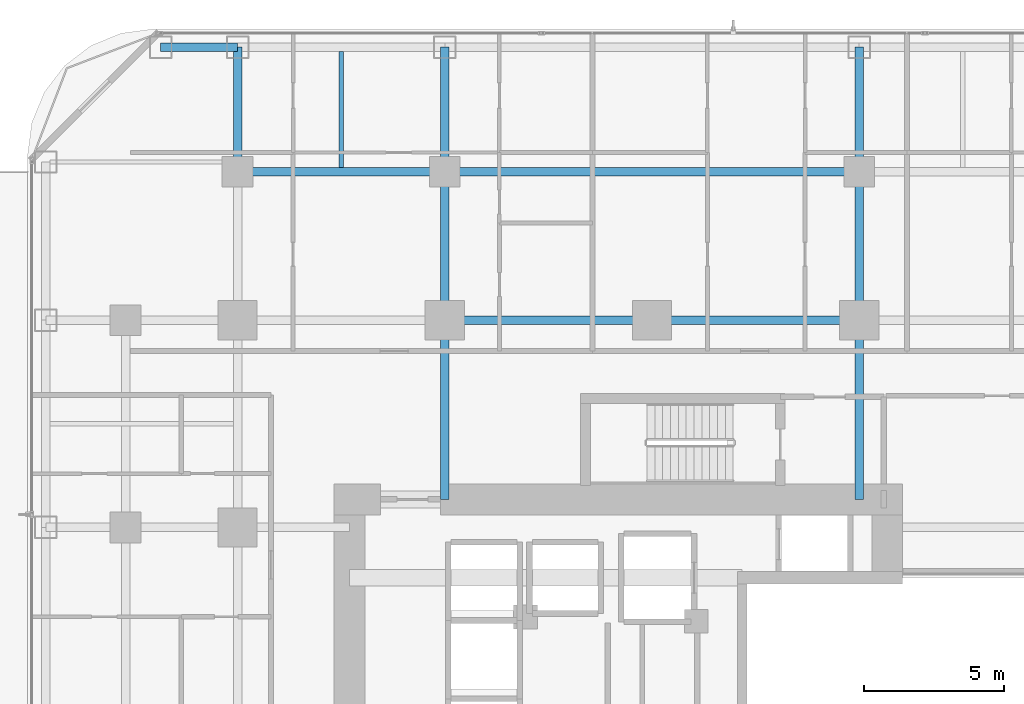
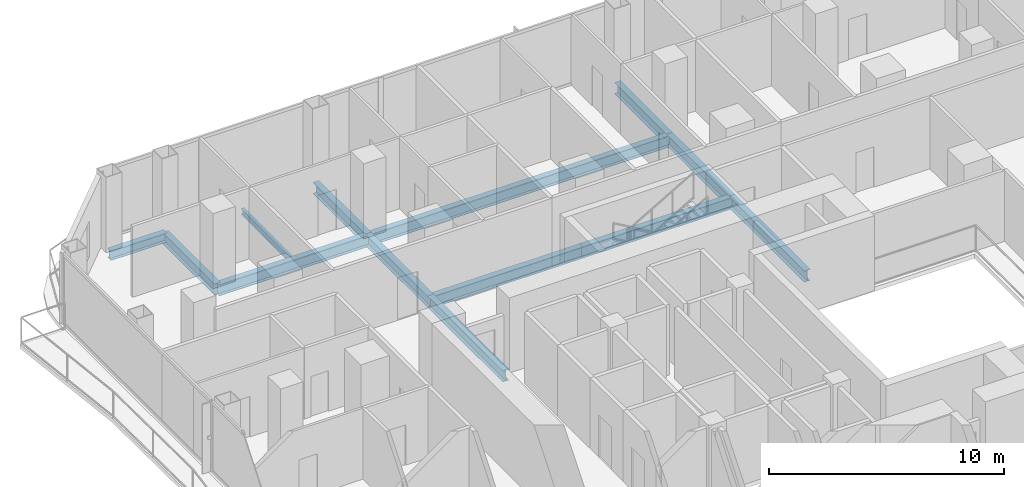
# One storey, part 14 of 30: 13 beams.
"""IFC4 building model written with IfcOpenShell, lengths in metres."""

from ifc_helpers import new_model, si_unit, direction, frame, origin, origin_2d, place, context, subcontext, project, spatial, i_section, extrude, material, material_profile, profile_set, type_object, element, save


model = new_model("IFC4")

# Units and contexts
model_context = context("Model", 3, precision=1e-05, world=origin(), true_north=direction((0.0, 1.0)))
body_context = subcontext(model_context, "Body", "Model", "MODEL_VIEW")
ifc_project = project(units=[si_unit("LENGTHUNIT", "METRE"), si_unit("AREAUNIT", "SQUARE_METRE"), si_unit("VOLUMEUNIT", "CUBIC_METRE"), si_unit("PLANEANGLEUNIT", "RADIAN"), si_unit("MASSUNIT", "GRAM", prefix="KILO")], contexts=[model_context])

# Site, building, storey
site_placement = place(None, origin())
site = spatial("IfcSite", under=ifc_project, at=site_placement, CompositionType="ELEMENT")
building_placement = place(site_placement, origin())
building = spatial("IfcBuilding", under=site, at=building_placement, Name="Khorvyn Point Tower", CompositionType="ELEMENT")
storey_placement = place(building_placement, frame((0.0, 0.0, 30.60009765625)))
storey = spatial("IfcBuildingStorey", under=building, at=storey_placement, Name="L08", CompositionType="ELEMENT", Elevation=30.60009765625)

# Beams
ifc_material = material(Name="Steel S355", Category="steel")
ifc_material_profile_1 = material_profile(ifc_material, i_section(OverallWidth=0.300048828125, OverallDepth=0.587890625, WebThickness=0.011962890625, FlangeThickness=0.02001953125, at=origin_2d()))
ifc_profile_set_1 = profile_set([ifc_material_profile_1], Name="Steel S355 H588x300x12x20")
beam_type_1 = type_object("IfcBeamType", Name="Steel S355 Beam H588x300x12x20", PredefinedType="BEAM", material=ifc_profile_set_1)
for number, where, z_axis, x_axis, name in (
    (1, (-7.39990234375, 14.800048828125, -0.51416015625), (1.0, 0.0, 0.0), (0.0, 1.0, 0.0), "Beam"),
    (2, (0.0, 14.800048828125, -0.51416015625), (1.0, 0.0, 0.0), (0.0, 1.0, 0.0), "Beam"),
):
    element("IfcBeam", number, at=place(storey_placement, frame(where, z_axis=z_axis, x_axis=x_axis)), inside=storey, type_object=beam_type_1, Name=name, PredefinedType="BEAM", context=body_context, shape_type="SweptSolid", body=[
        extrude(i_section(OverallWidth=0.300048828125, OverallDepth=0.587890625, WebThickness=0.011962890625, FlangeThickness=0.02001953125, at=origin_2d()), origin(), (0.0, 0.0, 1.0), 7.39990234375),
    ])
beam_1_placement = place(storey_placement, frame((-14.800048828125, 20.10009765625, -0.51416015625), z_axis=(1.0, 0.0, 0.0), x_axis=(0.0, 1.0, 0.0)))
element("IfcBeam", 3, at=beam_1_placement, inside=storey, type_object=beam_type_1, Name="Beam", PredefinedType="BEAM", context=body_context, shape_type="SweptSolid", body=[
    extrude(i_section(OverallWidth=0.300048828125, OverallDepth=0.587890625, WebThickness=0.011962890625, FlangeThickness=0.02001953125, at=origin_2d()), origin(), (0.0, 0.0, 1.0), 7.400146484375),
])
beam_2_placement = place(storey_placement, frame((-7.39990234375, 20.10009765625, -0.51416015625), z_axis=(1.0, 0.0, 0.0), x_axis=(0.0, 1.0, 0.0)))
element("IfcBeam", 4, at=beam_2_placement, inside=storey, type_object=beam_type_1, Name="Beam", PredefinedType="BEAM", context=body_context, shape_type="SweptSolid", body=[
    extrude(i_section(OverallWidth=0.300048828125, OverallDepth=0.587890625, WebThickness=0.011962890625, FlangeThickness=0.02001953125, at=origin_2d()), origin(), (0.0, 0.0, 1.0), 14.7998046875),
])
beam_3_placement = place(storey_placement, frame((-14.800048828125, 20.10009765625, -0.51416015625), z_axis=(0.0, 1.0, 0.0), x_axis=(-1.0, 0.0, 0.0)))
element("IfcBeam", 5, at=beam_3_placement, inside=storey, type_object=beam_type_1, Name="Beam", PredefinedType="BEAM", context=body_context, shape_type="SweptSolid", body=[
    extrude(i_section(OverallWidth=0.300048828125, OverallDepth=0.587890625, WebThickness=0.011962890625, FlangeThickness=0.02001953125, at=origin_2d()), origin(), (0.0, 0.0, 1.0), 4.449951171875),
])
beam_4_placement = place(storey_placement, frame((-7.39990234375, 8.39990234375, -0.51416015625), z_axis=(0.0, 1.0, 0.0), x_axis=(-1.0, 0.0, 0.0)))
element("IfcBeam", 6, at=beam_4_placement, inside=storey, type_object=beam_type_1, Name="Beam", PredefinedType="BEAM", context=body_context, shape_type="SweptSolid", body=[
    extrude(i_section(OverallWidth=0.300048828125, OverallDepth=0.587890625, WebThickness=0.011962890625, FlangeThickness=0.02001953125, at=origin_2d()), origin(), (0.0, 0.0, 1.0), 6.400146484375),
])
beam_5_placement = place(storey_placement, frame((-7.39990234375, 14.800048828125, -0.51416015625), z_axis=(0.0, 1.0, 0.0), x_axis=(-1.0, 0.0, 0.0)))
element("IfcBeam", 7, at=beam_5_placement, inside=storey, type_object=beam_type_1, Name="Beam", PredefinedType="BEAM", context=body_context, shape_type="SweptSolid", body=[
    extrude(i_section(OverallWidth=0.300048828125, OverallDepth=0.587890625, WebThickness=0.011962890625, FlangeThickness=0.02001953125, at=origin_2d()), origin(), (0.0, 0.0, 1.0), 5.300048828125),
])
beam_6_placement = place(storey_placement, frame((-7.39990234375, 20.10009765625, -0.51416015625), z_axis=(0.0, 1.0, 0.0), x_axis=(-1.0, 0.0, 0.0)))
element("IfcBeam", 8, at=beam_6_placement, inside=storey, type_object=beam_type_1, Name="Beam", PredefinedType="BEAM", context=body_context, shape_type="SweptSolid", body=[
    extrude(i_section(OverallWidth=0.300048828125, OverallDepth=0.587890625, WebThickness=0.011962890625, FlangeThickness=0.02001953125, at=origin_2d()), origin(), (0.0, 0.0, 1.0), 4.449951171875),
])
beam_7_placement = place(storey_placement, frame((7.39990234375, 8.39990234375, -0.51416015625), z_axis=(0.0, 1.0, 0.0), x_axis=(-1.0, 0.0, 0.0)))
element("IfcBeam", 9, at=beam_7_placement, inside=storey, type_object=beam_type_1, Name="Beam", PredefinedType="BEAM", context=body_context, shape_type="SweptSolid", body=[
    extrude(i_section(OverallWidth=0.300048828125, OverallDepth=0.587890625, WebThickness=0.011962890625, FlangeThickness=0.02001953125, at=origin_2d()), origin(), (0.0, 0.0, 1.0), 6.400146484375),
])
beam_8_placement = place(storey_placement, frame((7.39990234375, 14.800048828125, -0.51416015625), z_axis=(0.0, 1.0, 0.0), x_axis=(-1.0, 0.0, 0.0)))
element("IfcBeam", 10, at=beam_8_placement, inside=storey, type_object=beam_type_1, Name="Beam", PredefinedType="BEAM", context=body_context, shape_type="SweptSolid", body=[
    extrude(i_section(OverallWidth=0.300048828125, OverallDepth=0.587890625, WebThickness=0.011962890625, FlangeThickness=0.02001953125, at=origin_2d()), origin(), (0.0, 0.0, 1.0), 5.300048828125),
])
beam_9_placement = place(storey_placement, frame((7.39990234375, 20.10009765625, -0.51416015625), z_axis=(0.0, 1.0, 0.0), x_axis=(-1.0, 0.0, 0.0)))
element("IfcBeam", 11, at=beam_9_placement, inside=storey, type_object=beam_type_1, Name="Beam", PredefinedType="BEAM", context=body_context, shape_type="SweptSolid", body=[
    extrude(i_section(OverallWidth=0.300048828125, OverallDepth=0.587890625, WebThickness=0.011962890625, FlangeThickness=0.02001953125, at=origin_2d()), origin(), (0.0, 0.0, 1.0), 4.449951171875),
])
ifc_material_profile_2 = material_profile(ifc_material, i_section(OverallWidth=0.14990234375, OverallDepth=0.300048828125, WebThickness=0.006591796875, FlangeThickness=0.009033203125, at=origin_2d()))
ifc_profile_set_2 = profile_set([ifc_material_profile_2], Name="Steel S355 H300x150x6.5x9")
beam_type_2 = type_object("IfcBeamType", Name="Steel S355 Joist H300x150x6.5x9", PredefinedType="JOIST", material=ifc_profile_set_2)
beam_10_placement = place(storey_placement, frame((-11.10009765625, 20.25, -0.3701171875), z_axis=(0.0, 1.0, 0.0), x_axis=(-1.0, 0.0, 0.0)))
element("IfcBeam", 12, at=beam_10_placement, inside=storey, type_object=beam_type_2, Name="Beam", PredefinedType="JOIST", context=body_context, shape_type="SweptSolid", body=[
    extrude(i_section(OverallWidth=0.14990234375, OverallDepth=0.300048828125, WebThickness=0.006591796875, FlangeThickness=0.009033203125, at=origin_2d()), origin(), (0.0, 0.0, 1.0), 4.14990234375),
])
ifc_material_profile_3 = material_profile(ifc_material, i_section(OverallWidth=0.300048828125, OverallDepth=0.488037109375, WebThickness=0.010986328125, FlangeThickness=0.01806640625, at=origin_2d()))
ifc_profile_set_3 = profile_set([ifc_material_profile_3], Name="Steel S355 H488x300x11x18")
beam_type_3 = type_object("IfcBeamType", Name="Steel S355 Spandrel H488x300x11x18", PredefinedType="SPANDREL", material=ifc_profile_set_3)
beam_11_placement = place(storey_placement, frame((-17.550048828125, 24.550048828125, -0.464111328125), z_axis=(1.0, 0.0, 0.0), x_axis=(0.0, 1.0, 0.0)))
element("IfcBeam", 13, at=beam_11_placement, inside=storey, type_object=beam_type_3, Name="Beam", PredefinedType="SPANDREL", context=body_context, shape_type="SweptSolid", body=[
    extrude(i_section(OverallWidth=0.300048828125, OverallDepth=0.488037109375, WebThickness=0.010986328125, FlangeThickness=0.01806640625, at=origin_2d()), origin(), (0.0, 0.0, 1.0), 2.75),
])

save(model, "model.ifc")
